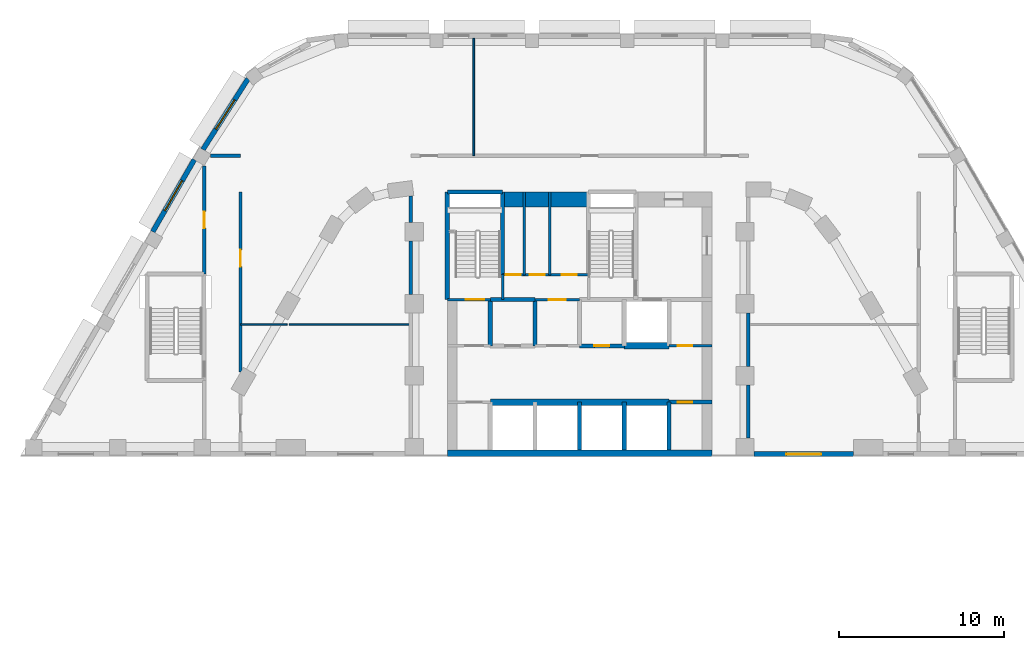
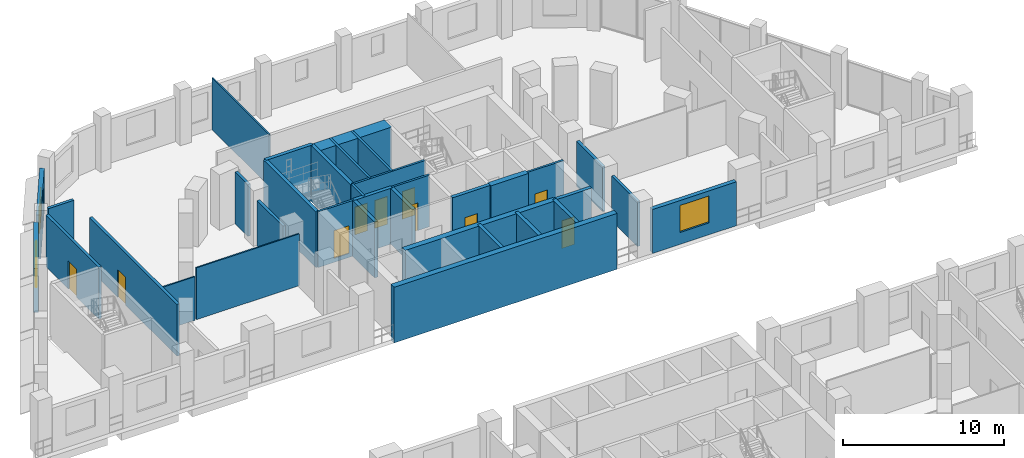
# One storey, part 14 of 22: 35 walls, 10 doors, 3 windows, 13 openings.
"""IFC4 building model written with IfcOpenShell, lengths in metres."""

from ifc_helpers import new_model, si_unit, direction, frame, frame_2d, origin, place, context, subcontext, project, spatial, rectangle, extrude, material, layer, layer_set, type_object, element, fill, save


model = new_model("IFC4")

# Units and contexts
model_context = context("Model", 3, precision=1e-05, world=origin(), true_north=direction((0.0, 1.0)))
body_context = subcontext(model_context, "Body", "Model", "MODEL_VIEW")
ifc_project = project(units=[si_unit("LENGTHUNIT", "METRE"), si_unit("AREAUNIT", "SQUARE_METRE"), si_unit("VOLUMEUNIT", "CUBIC_METRE"), si_unit("PLANEANGLEUNIT", "RADIAN"), si_unit("MASSUNIT", "GRAM", prefix="KILO")], contexts=[model_context])

# Site, building, storey
site_placement = place(None, origin())
site = spatial("IfcSite", under=ifc_project, at=site_placement, CompositionType="ELEMENT")
building_placement = place(site_placement, origin())
building = spatial("IfcBuilding", under=site, at=building_placement, Name="Nakaniwa Court", CompositionType="ELEMENT")
storey_placement = place(building_placement, frame((0.0, 0.0, 24.0)))
storey = spatial("IfcBuildingStorey", under=building, at=storey_placement, Name="L05", CompositionType="ELEMENT", Elevation=24.0)

# Wall
ifc_material_1 = material(Name="Acoustic double stud partition")
ifc_layer_1 = layer(ifc_material_1, 0.199951171875)
ifc_layer_set_1 = layer_set([ifc_layer_1], Name="Acoustic double stud partition")
wall_type_1 = type_object("IfcWallType", Name="Acoustic double stud partition 200", PredefinedType="PARTITIONING", material=ifc_layer_set_1)
wall_1_placement = place(storey_placement, frame((57.676513671875, 105.60009765625, 0.0), z_axis=(0.0, 0.0, 1.0), x_axis=(1.0, 0.0, 0.0)))
element("IfcWall", 1, at=wall_1_placement, inside=storey, type_object=wall_type_1, Name="Partition PW-087", PredefinedType="PARTITIONING", context=body_context, shape_type="SweptSolid", body=[
    extrude(rectangle(XDim=1.823486328125, YDim=0.199951171875, at=frame_2d((0.91162109375, 0.0))), origin(), (0.0, 0.0, 1.0), 3.925048828125),
])

# Wall, opening, door
wall_2_placement = place(storey_placement, frame((57.300048828125, 98.447021484375, 0.0), z_axis=(0.0, 0.0, 1.0), x_axis=(0.0, 1.0, 0.0)))
wall_2 = element("IfcWall", 2, at=wall_2_placement, inside=storey, type_object=wall_type_1, Name="Partition PW-095", PredefinedType="PARTITIONING", context=body_context, shape_type="SweptSolid", body=[
    extrude(rectangle(XDim=6.544189453125, YDim=0.199951171875, at=frame_2d((3.27197265625, 0.0))), origin(), (0.0, 0.0, 1.0), 3.925048828125),
])
opening_1_placement = place(wall_2_placement, frame((2.77197265625, 0.0, 0.0)))
opening_1 = element("IfcOpeningElement", 3, at=opening_1_placement, cuts=wall_2, Name="Opening D-02-01", PredefinedType="OPENING", context=body_context, shape_type="SweptSolid", body=[
    extrude(rectangle(XDim=1.0, YDim=2.10009765625, at=frame_2d((0.5, 1.050048828125))), frame((0.0, 0.10986328125, 0.0), z_axis=(0.0, -1.0, 0.0), x_axis=(1.0, 0.0, 0.0)), (0.0, 0.0, 1.0), 0.219970703125),
])
ifc_material_2 = material(Name="Solid core timber door set, black veneer", Category="wood")
door_type_1 = type_object("IfcDoorType", Name="Internal door 1000", OperationType="NOTDEFINED", PredefinedType="DOOR", material=ifc_material_2)
door_1_placement = place(opening_1_placement, origin())
door_1 = element("IfcDoor", 4, at=door_1_placement, inside=storey, type_object=door_type_1, Name="Door D-02-01 L05-029", OperationType="SINGLE_SWING_RIGHT", OverallHeight=2.10009765625, OverallWidth=1.0, PredefinedType="DOOR", context=body_context, shape_type="SweptSolid", body=[
    extrude(rectangle(XDim=1.0, YDim=2.10009765625, at=frame_2d((0.5, 1.050048828125))), frame((0.0, 0.02490234375, 0.0), z_axis=(0.0, -1.0, 0.0), x_axis=(1.0, 0.0, 0.0)), (0.0, 0.0, 1.0), 0.050048828125),
])
fill(opening_1, door_1)

wall_3_placement = place(storey_placement, frame((59.5, 103.403076171875, 0.0), z_axis=(0.0, 0.0, 1.0), x_axis=(0.0, -1.0, 0.0)))
wall_3 = element("IfcWall", 5, at=wall_3_placement, inside=storey, type_object=wall_type_1, Name="Partition PW-099", PredefinedType="PARTITIONING", context=body_context, shape_type="SweptSolid", body=[
    extrude(rectangle(XDim=10.873291015625, YDim=0.199951171875, at=frame_2d((5.4365234375, 0.0))), origin(), (0.0, 0.0, 1.0), 3.925048828125),
])
opening_2_placement = place(wall_3_placement, frame((3.5029296875, 0.0, 0.0)))
opening_2 = element("IfcOpeningElement", 6, at=opening_2_placement, cuts=wall_3, Name="Opening D-02-05", PredefinedType="OPENING", context=body_context, shape_type="SweptSolid", body=[
    extrude(rectangle(XDim=1.0, YDim=2.10009765625, at=frame_2d((0.5, 1.050048828125))), frame((0.0, 0.10986328125, 0.0), z_axis=(0.0, -1.0, 0.0), x_axis=(1.0, 0.0, 0.0)), (0.0, 0.0, 1.0), 0.219970703125),
])
door_2_placement = place(opening_2_placement, origin())
door_2 = element("IfcDoor", 7, at=door_2_placement, inside=storey, type_object=door_type_1, Name="Door D-02-05 L05-034", OperationType="SINGLE_SWING_LEFT", OverallHeight=2.10009765625, OverallWidth=1.0, PredefinedType="DOOR", context=body_context, shape_type="SweptSolid", body=[
    extrude(rectangle(XDim=1.0, YDim=2.10009765625, at=frame_2d((0.5, 1.050048828125))), frame((0.0, 0.02490234375, 0.0), z_axis=(0.0, -1.0, 0.0), x_axis=(1.0, 0.0, 0.0)), (0.0, 0.0, 1.0), 0.050048828125),
])
fill(opening_2, door_2)

# Walls
wall_4_placement = place(storey_placement, frame((90.199951171875, 88.51708984375, 0.0), z_axis=(0.0, 0.0, 1.0), x_axis=(0.0, 1.0, 0.0)))
element("IfcWall", 8, at=wall_4_placement, inside=storey, type_object=wall_type_1, Name="Partition PW-104", PredefinedType="PARTITIONING", context=body_context, shape_type="SweptSolid", body=[
    extrude(rectangle(XDim=3.2158203125, YDim=0.199951171875, at=frame_2d((1.60791015625, 0.0))), origin(), (0.0, 0.0, 1.0), 3.405029296875),
])
for number, where, z_axis, x_axis, name in (
    (9, (90.199951171875, 92.866943359375, 0.0), (0.0, 0.0, 1.0), (0.0, 1.0, 0.0), "Partition PW-105"),
    (10, (69.800048828125, 97.217041015625, 0.0), (0.0, 0.0, 1.0), (0.0, 1.0, 0.0), "Partition PW-114"),
):
    element("IfcWall", number, at=place(storey_placement, frame(where, z_axis=z_axis, x_axis=x_axis)), inside=storey, type_object=wall_type_1, Name=name, PredefinedType="PARTITIONING", context=body_context, shape_type="SweptSolid", body=[
        extrude(rectangle(XDim=3.216064453125, YDim=0.199951171875, at=frame_2d((1.60791015625, 0.0))), origin(), (0.0, 0.0, 1.0), 3.405029296875),
    ])
wall_5_placement = place(storey_placement, frame((69.800048828125, 101.56689453125, 0.0), z_axis=(0.0, 0.0, 1.0), x_axis=(0.0, 1.0, 0.0)))
element("IfcWall", 11, at=wall_5_placement, inside=storey, type_object=wall_type_1, Name="Partition PW-115", PredefinedType="PARTITIONING", context=body_context, shape_type="SweptSolid", body=[
    extrude(rectangle(XDim=1.59423828125, YDim=0.199951171875, at=frame_2d((0.797119140625, 0.0))), origin(), (0.0, 0.0, 1.0), 3.925048828125),
])

# Wall, opening, window
ifc_material_3 = material(Name="Charcoal ceramic cladding")
ifc_layer_2 = layer(ifc_material_3, 0.02, Name="Ceramic cladding")
ifc_material_4 = material(Name="Ventilated air cavity")
ifc_layer_3 = layer(ifc_material_4, 0.04, ventilated=True, Name="Ventilated cavity")
ifc_material_5 = material(Name="Mineral wool insulation")
ifc_layer_4 = layer(ifc_material_5, 0.1, Name="Insulation")
ifc_material_6 = material(Name="Cement bonded sheathing board")
ifc_layer_5 = layer(ifc_material_6, 0.012, Name="Sheathing")
ifc_material_7 = material(Name="Cold-formed galvanised stud frame with mineral wool infill")
ifc_layer_6 = layer(ifc_material_7, 0.1, Name="Stud frame")
ifc_material_8 = material(Name="Fire-rated gypsum plasterboard lining")
ifc_layer_7 = layer(ifc_material_8, 0.028, Name="Lining")
ifc_layer_set_2 = layer_set([ifc_layer_2, ifc_layer_3, ifc_layer_4, ifc_layer_5, ifc_layer_6, ifc_layer_7], Name="Charcoal ceramic faced external wall system")
wall_type_2 = type_object("IfcWallType", Name="Black ceramic faced external wall 300", PredefinedType="SOLIDWALL", material=ifc_layer_set_2)
wall_6_placement = place(storey_placement, frame((56.7080078125, 105.357177734375, 0.0), z_axis=(0.0, 0.0, 1.0), x_axis=(-0.500011252833, -0.866018906861, 0.0)))
wall_6 = element("IfcWall", 12, at=wall_6_placement, inside=storey, type_object=wall_type_2, Name="L05 external wall 27", PredefinedType="SOLIDWALL", context=body_context, shape_type="SweptSolid", body=[
    extrude(rectangle(XDim=5.02490234375, YDim=0.300048828125, at=frame_2d((2.512451171875, 0.0))), origin(), (0.0, 0.0, 1.0), 3.324951171875),
])
opening_3_placement = place(wall_6_placement, frame((1.46240234375, 0.0, 0.89990234375)))
opening_3 = element("IfcOpeningElement", 13, at=opening_3_placement, cuts=wall_6, Name="Opening W2.18", PredefinedType="OPENING", context=body_context, shape_type="SweptSolid", body=[
    extrude(rectangle(XDim=2.10009765625, YDim=2.050048828125, at=frame_2d((1.050048828125, 1.02490234375))), frame((0.0, 0.159912109375, 0.0), z_axis=(0.0, -1.0, 0.0), x_axis=(1.0, 0.0, 0.0)), (0.0, 0.0, 1.0), 0.320068359375),
])
ifc_material_9 = material(Name="Black anodised aluminium frame with dark low-E laminated double glazing", Category="aluminium")
window_type = type_object("IfcWindowType", Name="Dark glass window 2100x2050 sill 900", PartitioningType="SINGLE_PANEL", PredefinedType="WINDOW", material=ifc_material_9)
window_1_placement = place(opening_3_placement, origin())
window_1 = element("IfcWindow", 14, at=window_1_placement, inside=storey, type_object=window_type, Name="L05 habitable room window 27-0", OverallHeight=2.050048828125, OverallWidth=2.10009765625, PartitioningType="SINGLE_PANEL", PredefinedType="WINDOW", context=body_context, shape_type="SweptSolid", body=[
    extrude(rectangle(XDim=2.10009765625, YDim=2.050048828125, at=frame_2d((1.050048828125, 1.02490234375))), frame((0.0, 0.030029296875, 0.0), z_axis=(0.0, -1.0, 0.0), x_axis=(1.0, 0.0, 0.0)), (0.0, 0.0, 1.0), 0.06005859375),
])
fill(opening_3, window_1)

wall_7_placement = place(storey_placement, frame((90.5458984375, 87.550048828125, 0.0), z_axis=(0.0, 0.0, 1.0), x_axis=(1.0, 0.0, 0.0)))
wall_7 = element("IfcWall", 15, at=wall_7_placement, inside=storey, type_object=wall_type_2, Name="L05 external wall 35", PredefinedType="SOLIDWALL", context=body_context, shape_type="SweptSolid", body=[
    extrude(rectangle(XDim=6.01611328125, YDim=0.300048828125, at=frame_2d((3.008056640625, 0.0))), origin(), (0.0, 0.0, 1.0), 3.324951171875),
])
opening_4_placement = place(wall_7_placement, frame((1.9580078125, 0.0, 0.89990234375)))
opening_4 = element("IfcOpeningElement", 16, at=opening_4_placement, cuts=wall_7, Name="Opening W2.26", PredefinedType="OPENING", context=body_context, shape_type="SweptSolid", body=[
    extrude(rectangle(XDim=2.10009765625, YDim=2.050048828125, at=frame_2d((1.050048828125, 1.02490234375))), frame((0.0, 0.159912109375, 0.0), z_axis=(0.0, -1.0, 0.0), x_axis=(1.0, 0.0, 0.0)), (0.0, 0.0, 1.0), 0.320068359375),
])
window_2_placement = place(opening_4_placement, origin())
window_2 = element("IfcWindow", 17, at=window_2_placement, inside=storey, type_object=window_type, Name="L05 habitable room window 35-0", OverallHeight=2.050048828125, OverallWidth=2.10009765625, PartitioningType="SINGLE_PANEL", PredefinedType="WINDOW", context=body_context, shape_type="SweptSolid", body=[
    extrude(rectangle(XDim=2.10009765625, YDim=2.050048828125, at=frame_2d((1.050048828125, 1.02490234375))), frame((0.0, 0.030029296875, 0.0), z_axis=(0.0, -1.0, 0.0), x_axis=(1.0, 0.0, 0.0)), (0.0, 0.0, 1.0), 0.06005859375),
])
fill(opening_4, window_2)

wall_8_placement = place(storey_placement, frame((59.95361328125, 110.24755859375, 0.0), z_axis=(0.0, 0.0, 1.0), x_axis=(-0.537224370512, -0.843439372882, 0.0)))
wall_8 = element("IfcWall", 18, at=wall_8_placement, inside=storey, type_object=wall_type_2, Name="L05 external wall 53", PredefinedType="SOLIDWALL", context=body_context, shape_type="SweptSolid", body=[
    extrude(rectangle(XDim=5.07080078125, YDim=0.300048828125, at=frame_2d((2.535400390625, 0.0))), origin(), (0.0, 0.0, 1.0), 3.324951171875),
])
opening_5_placement = place(wall_8_placement, frame((1.51318359375, 0.0, 0.89990234375)))
opening_5 = element("IfcOpeningElement", 19, at=opening_5_placement, cuts=wall_8, Name="Opening W2.39", PredefinedType="OPENING", context=body_context, shape_type="SweptSolid", body=[
    extrude(rectangle(XDim=2.10009765625, YDim=2.050048828125, at=frame_2d((1.050048828125, 1.02490234375))), frame((0.0, 0.159912109375, 0.0), z_axis=(0.0, -1.0, 0.0), x_axis=(1.0, 0.0, 0.0)), (0.0, 0.0, 1.0), 0.320068359375),
])
window_3_placement = place(opening_5_placement, origin())
window_3 = element("IfcWindow", 20, at=window_3_placement, inside=storey, type_object=window_type, Name="L05 habitable room window 53-0", OverallHeight=2.050048828125, OverallWidth=2.10009765625, PartitioningType="SINGLE_PANEL", PredefinedType="WINDOW", context=body_context, shape_type="SweptSolid", body=[
    extrude(rectangle(XDim=2.10009765625, YDim=2.050048828125, at=frame_2d((1.050048828125, 1.02490234375))), frame((0.0, 0.030029296875, 0.0), z_axis=(0.0, -1.0, 0.0), x_axis=(1.0, 0.0, 0.0)), (0.0, 0.0, 1.0), 0.06005859375),
])
fill(opening_5, window_3)

# Wall, opening, door
ifc_material_10 = material(Name="Blockwork partition", Category="masonry")
ifc_layer_8 = layer(ifc_material_10, 0.14990234375)
ifc_layer_set_3 = layer_set([ifc_layer_8], Name="Blockwork partition")
wall_type_3 = type_object("IfcWallType", Name="Blockwork partition 150", PredefinedType="PARTITIONING", material=ifc_layer_set_3)
wall_9_placement = place(storey_placement, frame((85.39697265625, 94.10009765625, 0.0), z_axis=(0.0, 0.0, 1.0), x_axis=(1.0, 0.0, 0.0)))
wall_9 = element("IfcWall", 21, at=wall_9_placement, inside=storey, type_object=wall_type_3, Name="Partition PW-018", PredefinedType="PARTITIONING", context=body_context, shape_type="SweptSolid", body=[
    extrude(rectangle(XDim=2.60302734375, YDim=0.14990234375, at=frame_2d((1.301513671875, 0.0))), origin(), (0.0, 0.0, 1.0), 3.925048828125),
])
opening_6_placement = place(wall_9_placement, frame((0.528076171875, 0.0, 0.0)))
opening_6 = element("IfcOpeningElement", 22, at=opening_6_placement, cuts=wall_9, Name="Opening D-05-05", PredefinedType="OPENING", context=body_context, shape_type="SweptSolid", body=[
    extrude(rectangle(XDim=0.89990234375, YDim=2.10009765625, at=frame_2d((0.449951171875, 1.050048828125))), frame((0.0, 0.0849609375, 0.0), z_axis=(0.0, -1.0, 0.0), x_axis=(1.0, 0.0, 0.0)), (0.0, 0.0, 1.0), 0.169921875),
])
ifc_material_11 = material(Name="Fire rated steel door set", Category="steel")
door_type_2 = type_object("IfcDoorType", Name="Service room door 900", OperationType="NOTDEFINED", PredefinedType="DOOR", material=ifc_material_11)
door_3_placement = place(opening_6_placement, origin())
door_3 = element("IfcDoor", 23, at=door_3_placement, inside=storey, type_object=door_type_2, Name="Door D-05-05 L05-007", OperationType="SINGLE_SWING_RIGHT", OverallHeight=2.10009765625, OverallWidth=0.89990234375, PredefinedType="DOOR", context=body_context, shape_type="SweptSolid", body=[
    extrude(rectangle(XDim=0.89990234375, YDim=2.10009765625, at=frame_2d((0.449951171875, 1.050048828125))), frame((0.0, 0.02490234375, 0.0), z_axis=(0.0, -1.0, 0.0), x_axis=(1.0, 0.0, 0.0)), (0.0, 0.0, 1.0), 0.050048828125),
])
fill(opening_6, door_3)

wall_10_placement = place(storey_placement, frame((77.300048828125, 96.89990234375, 0.0), z_axis=(0.0, 0.0, 1.0), x_axis=(1.0, 0.0, 0.0)))
wall_10 = element("IfcWall", 24, at=wall_10_placement, inside=storey, type_object=wall_type_3, Name="Partition PW-025", PredefinedType="PARTITIONING", context=body_context, shape_type="SweptSolid", body=[
    extrude(rectangle(XDim=2.699951171875, YDim=0.14990234375, at=frame_2d((1.35009765625, 0.0))), origin(), (0.0, 0.0, 1.0), 3.925048828125),
])
opening_7_placement = place(wall_10_placement, frame((0.85009765625, 0.0, 0.0)))
opening_7 = element("IfcOpeningElement", 25, at=opening_7_placement, cuts=wall_10, Name="Opening D-23-01", PredefinedType="OPENING", context=body_context, shape_type="SweptSolid", body=[
    extrude(rectangle(XDim=1.0, YDim=2.10009765625, at=frame_2d((0.5, 1.050048828125))), frame((0.0, 0.0849609375, 0.0), z_axis=(0.0, -1.0, 0.0), x_axis=(1.0, 0.0, 0.0)), (0.0, 0.0, 1.0), 0.169921875),
])
door_type_3 = type_object("IfcDoorType", Name="Service room door 1000", OperationType="NOTDEFINED", PredefinedType="DOOR", material=ifc_material_11)
door_4_placement = place(opening_7_placement, origin())
door_4 = element("IfcDoor", 26, at=door_4_placement, inside=storey, type_object=door_type_3, Name="Door D-23-01 L05-008", OperationType="SINGLE_SWING_LEFT", OverallHeight=2.10009765625, OverallWidth=1.0, PredefinedType="DOOR", context=body_context, shape_type="SweptSolid", body=[
    extrude(rectangle(XDim=1.0, YDim=2.10009765625, at=frame_2d((0.5, 1.050048828125))), frame((0.0, 0.02490234375, 0.0), z_axis=(0.0, -1.0, 0.0), x_axis=(1.0, 0.0, 0.0)), (0.0, 0.0, 1.0), 0.050048828125),
])
fill(opening_7, door_4)

# Wall, openings, doors
wall_11_placement = place(storey_placement, frame((75.35009765625, 98.39990234375, 0.0), z_axis=(0.0, 0.0, 1.0), x_axis=(1.0, 0.0, 0.0)))
wall_11 = element("IfcWall", 27, at=wall_11_placement, inside=storey, type_object=wall_type_3, Name="Partition PW-036", PredefinedType="PARTITIONING", context=body_context, shape_type="SweptSolid", body=[
    extrude(rectangle(XDim=5.199951171875, YDim=0.14990234375, at=frame_2d((2.60009765625, 0.0))), origin(), (0.0, 0.0, 1.0), 3.925048828125),
])
opening_8_placement = place(wall_11_placement, frame((0.199951171875, 0.0, 0.0)))
opening_8 = element("IfcOpeningElement", 28, at=opening_8_placement, cuts=wall_11, Name="Opening D-05-06", PredefinedType="OPENING", context=body_context, shape_type="SweptSolid", body=[
    extrude(rectangle(XDim=0.89990234375, YDim=2.10009765625, at=frame_2d((0.449951171875, 1.050048828125))), frame((0.0, 0.0849609375, 0.0), z_axis=(0.0, -1.0, 0.0), x_axis=(1.0, 0.0, 0.0)), (0.0, 0.0, 1.0), 0.169921875),
])
opening_9_placement = place(wall_11_placement, frame((1.6298828125, 0.0, 0.0)))
opening_9 = element("IfcOpeningElement", 29, at=opening_9_placement, cuts=wall_11, Name="Opening D-05-07", PredefinedType="OPENING", context=body_context, shape_type="SweptSolid", body=[
    extrude(rectangle(XDim=0.89990234375, YDim=2.10009765625, at=frame_2d((0.449951171875, 1.050048828125))), frame((0.0, 0.0849609375, 0.0), z_axis=(0.0, -1.0, 0.0), x_axis=(1.0, 0.0, 0.0)), (0.0, 0.0, 1.0), 0.169921875),
])
opening_10_placement = place(wall_11_placement, frame((3.580078125, 0.0, 0.0)))
opening_10 = element("IfcOpeningElement", 30, at=opening_10_placement, cuts=wall_11, Name="Opening D-05-08", PredefinedType="OPENING", context=body_context, shape_type="SweptSolid", body=[
    extrude(rectangle(XDim=0.89990234375, YDim=2.10009765625, at=frame_2d((0.449951171875, 1.050048828125))), frame((0.0, 0.0849609375, 0.0), z_axis=(0.0, -1.0, 0.0), x_axis=(1.0, 0.0, 0.0)), (0.0, 0.0, 1.0), 0.169921875),
])
door_5_placement = place(opening_8_placement, origin())
door_5 = element("IfcDoor", 31, at=door_5_placement, inside=storey, type_object=door_type_2, Name="Door D-05-06 L05-009", OperationType="SINGLE_SWING_RIGHT", OverallHeight=2.10009765625, OverallWidth=0.89990234375, PredefinedType="DOOR", context=body_context, shape_type="SweptSolid", body=[
    extrude(rectangle(XDim=0.89990234375, YDim=2.10009765625, at=frame_2d((0.449951171875, 1.050048828125))), frame((0.0, 0.02490234375, 0.0), z_axis=(0.0, -1.0, 0.0), x_axis=(1.0, 0.0, 0.0)), (0.0, 0.0, 1.0), 0.050048828125),
])
fill(opening_8, door_5)
door_6_placement = place(opening_9_placement, origin())
door_6 = element("IfcDoor", 32, at=door_6_placement, inside=storey, type_object=door_type_2, Name="Door D-05-07 L05-010", OperationType="SINGLE_SWING_LEFT", OverallHeight=2.10009765625, OverallWidth=0.89990234375, PredefinedType="DOOR", context=body_context, shape_type="SweptSolid", body=[
    extrude(rectangle(XDim=0.89990234375, YDim=2.10009765625, at=frame_2d((0.449951171875, 1.050048828125))), frame((0.0, 0.02490234375, 0.0), z_axis=(0.0, -1.0, 0.0), x_axis=(1.0, 0.0, 0.0)), (0.0, 0.0, 1.0), 0.050048828125),
])
fill(opening_9, door_6)
door_7_placement = place(opening_10_placement, origin())
door_7 = element("IfcDoor", 33, at=door_7_placement, inside=storey, type_object=door_type_2, Name="Door D-05-08 L05-011", OperationType="SINGLE_SWING_RIGHT", OverallHeight=2.10009765625, OverallWidth=0.89990234375, PredefinedType="DOOR", context=body_context, shape_type="SweptSolid", body=[
    extrude(rectangle(XDim=0.89990234375, YDim=2.10009765625, at=frame_2d((0.449951171875, 1.050048828125))), frame((0.0, 0.02490234375, 0.0), z_axis=(0.0, -1.0, 0.0), x_axis=(1.0, 0.0, 0.0)), (0.0, 0.0, 1.0), 0.050048828125),
])
fill(opening_10, door_7)

# Walls
for number, where, z_axis, x_axis, name in (
    (34, (76.64990234375, 98.39990234375, 0.0), (0.0, 0.0, 1.0), (0.0, 1.0, 0.0), "Partition PW-037"),
    (35, (78.2099609375, 98.39990234375, 0.0), (0.0, 0.0, 1.0), (0.0, 1.0, 0.0), "Partition PW-038"),
):
    element("IfcWall", number, at=place(storey_placement, frame(where, z_axis=z_axis, x_axis=x_axis)), inside=storey, type_object=wall_type_3, Name=name, PredefinedType="PARTITIONING", context=body_context, shape_type="SweptSolid", body=[
        extrude(rectangle(XDim=5.0, YDim=0.14990234375, at=frame_2d((2.5, 0.0))), origin(), (0.0, 0.0, 1.0), 3.925048828125),
    ])
ifc_material_12 = material(Name="Concrete C100/115", Category="concrete")
ifc_layer_9 = layer(ifc_material_12, 0.39990234375)
ifc_layer_set_4 = layer_set([ifc_layer_9], Name="Concrete C100/115")
wall_type_4 = type_object("IfcWallType", Name="Concrete core spine wall 400 C100", PredefinedType="SHEAR", material=ifc_layer_set_4)
wall_12_placement = place(storey_placement, frame((74.60009765625, 90.699951171875, -0.300048828125), z_axis=(0.0, 0.0, 1.0), x_axis=(1.0, 0.0, 0.0)))
element("IfcWall", 36, at=wall_12_placement, inside=storey, type_object=wall_type_4, Name="Core wall SW-07", PredefinedType="SHEAR", context=body_context, shape_type="SweptSolid", body=[
    extrude(rectangle(XDim=10.7998046875, YDim=0.39990234375, at=frame_2d((5.39990234375, 0.0))), origin(), (0.0, 0.0, 1.0), 4.22509765625),
])
wall_13_placement = place(storey_placement, frame((82.697021484375, 94.10009765625, -0.300048828125), z_axis=(0.0, 0.0, 1.0), x_axis=(1.0, 0.0, 0.0)))
element("IfcWall", 37, at=wall_13_placement, inside=storey, type_object=wall_type_4, Name="Core wall SW-21", PredefinedType="SHEAR", context=body_context, shape_type="SweptSolid", body=[
    extrude(rectangle(XDim=2.7060546875, YDim=0.39990234375, at=frame_2d((1.35302734375, 0.0))), origin(), (0.0, 0.0, 1.0), 4.22509765625),
])

# Wall, opening, door
ifc_layer_10 = layer(ifc_material_12, 0.14990234375)
ifc_layer_set_5 = layer_set([ifc_layer_10], Name="Concrete C100/115")
wall_type_5 = type_object("IfcWallType", Name="Concrete core wall 150 C100", PredefinedType="SHEAR", material=ifc_layer_set_5)
wall_14_placement = place(storey_placement, frame((74.60009765625, 96.89990234375, -0.300048828125), z_axis=(0.0, 0.0, 1.0), x_axis=(-1.0, 0.0, 0.0)))
wall_14 = element("IfcWall", 38, at=wall_14_placement, inside=storey, type_object=wall_type_5, Name="Core wall SW-22", PredefinedType="SHEAR", context=body_context, shape_type="SweptSolid", body=[
    extrude(rectangle(XDim=2.60009765625, YDim=0.14990234375, at=frame_2d((1.300048828125, 0.0))), origin(), (0.0, 0.0, 1.0), 4.22509765625),
])
opening_11_placement = place(wall_14_placement, frame((0.3701171875, 0.0, 0.300048828125)))
opening_11 = element("IfcOpeningElement", 39, at=opening_11_placement, cuts=wall_14, Name="Opening D-09-01", PredefinedType="OPENING", context=body_context, shape_type="SweptSolid", body=[
    extrude(rectangle(XDim=1.10009765625, YDim=2.10009765625, at=frame_2d((0.550048828125, 1.050048828125))), frame((0.0, 0.0849609375, 0.0), z_axis=(0.0, -1.0, 0.0), x_axis=(1.0, 0.0, 0.0)), (0.0, 0.0, 1.0), 0.169921875),
])
door_type_4 = type_object("IfcDoorType", Name="Stair door 1100", OperationType="NOTDEFINED", PredefinedType="DOOR", material=ifc_material_11)
door_8_placement = place(opening_11_placement, origin())
door_8 = element("IfcDoor", 40, at=door_8_placement, inside=storey, type_object=door_type_4, Name="Door D-09-01 L05-012", OperationType="SINGLE_SWING_RIGHT", OverallHeight=2.10009765625, OverallWidth=1.10009765625, PredefinedType="DOOR", context=body_context, shape_type="SweptSolid", body=[
    extrude(rectangle(XDim=1.10009765625, YDim=2.10009765625, at=frame_2d((0.550048828125, 1.050048828125))), frame((0.0, 0.02490234375, 0.0), z_axis=(0.0, -1.0, 0.0), x_axis=(1.0, 0.0, 0.0)), (0.0, 0.0, 1.0), 0.050048828125),
])
fill(opening_11, door_8)

# Walls
wall_15_placement = place(storey_placement, frame((75.35009765625, 96.89990234375, -0.300048828125), z_axis=(0.0, 0.0, 1.0), x_axis=(0.0, 1.0, 0.0)))
element("IfcWall", 41, at=wall_15_placement, inside=storey, type_object=wall_type_5, Name="Core wall SW-26", PredefinedType="SHEAR", context=body_context, shape_type="SweptSolid", body=[
    extrude(rectangle(XDim=1.503173828125, YDim=0.14990234375, at=frame_2d((0.75146484375, 0.0))), origin(), (0.0, 0.0, 1.0), 4.22509765625),
])
ifc_layer_11 = layer(ifc_material_12, 0.25)
ifc_layer_set_6 = layer_set([ifc_layer_11], Name="Concrete C100/115")
wall_type_6 = type_object("IfcWallType", Name="Concrete core wall 250 C100", PredefinedType="SHEAR", material=ifc_layer_set_6)
wall_16_placement = place(storey_placement, frame((72.0, 96.89990234375, -0.300048828125), z_axis=(0.0, 0.0, 1.0), x_axis=(0.0, 1.0, 0.0)))
element("IfcWall", 42, at=wall_16_placement, inside=storey, type_object=wall_type_6, Name="Core wall SW-28", PredefinedType="SHEAR", context=body_context, shape_type="SweptSolid", body=[
    extrude(rectangle(XDim=6.5, YDim=0.25, at=frame_2d((3.25, 0.0))), origin(), (0.0, 0.0, 1.0), 4.22509765625),
])
wall_17_placement = place(storey_placement, frame((72.0, 103.39990234375, -0.300048828125), z_axis=(0.0, 0.0, 1.0), x_axis=(1.0, 0.0, 0.0)))
element("IfcWall", 43, at=wall_17_placement, inside=storey, type_object=wall_type_6, Name="Core wall SW-29", PredefinedType="SHEAR", context=body_context, shape_type="SweptSolid", body=[
    extrude(rectangle(XDim=3.35009765625, YDim=0.25, at=frame_2d((1.675048828125, 0.0))), origin(), (0.0, 0.0, 1.0), 4.22509765625),
])
ifc_layer_12 = layer(ifc_material_12, 0.89990234375)
ifc_layer_set_7 = layer_set([ifc_layer_12], Name="Concrete C100/115")
wall_type_7 = type_object("IfcWallType", Name="Concrete core wall 900 C100", PredefinedType="SHEAR", material=ifc_layer_set_7)
wall_18_placement = place(storey_placement, frame((75.35009765625, 102.949951171875, -0.300048828125), z_axis=(0.0, 0.0, 1.0), x_axis=(1.0, 0.0, 0.0)))
element("IfcWall", 44, at=wall_18_placement, inside=storey, type_object=wall_type_7, Name="Core wall SW-34", PredefinedType="SHEAR", context=body_context, shape_type="SweptSolid", body=[
    extrude(rectangle(XDim=5.199951171875, YDim=0.89990234375, at=frame_2d((2.60009765625, 0.0))), origin(), (0.0, 0.0, 1.0), 4.22509765625),
])
ifc_layer_13 = layer(ifc_material_12, 0.39990234375)
ifc_layer_set_8 = layer_set([ifc_layer_13], Name="Concrete C100/115")
wall_type_8 = type_object("IfcWallType", Name="Concrete core well wall 400 C100", PredefinedType="SHEAR", material=ifc_layer_set_8)
wall_19_placement = place(storey_placement, frame((72.00390625, 87.60009765625, -0.300048828125), z_axis=(0.0, 0.0, 1.0), x_axis=(1.0, 0.0, 0.0)))
element("IfcWall", 45, at=wall_19_placement, inside=storey, type_object=wall_type_8, Name="Core wall SW-150", PredefinedType="SHEAR", context=body_context, shape_type="SweptSolid", body=[
    extrude(rectangle(XDim=15.9921875, YDim=0.39990234375, at=frame_2d((7.99609375, 0.0))), origin(), (0.0, 0.0, 1.0), 4.22509765625),
])
ifc_layer_14 = layer(ifc_material_12, 0.25)
ifc_layer_set_9 = layer_set([ifc_layer_14], Name="Concrete C100/115")
wall_type_9 = type_object("IfcWallType", Name="Concrete shaft wall 250 C100", PredefinedType="SHEAR", material=ifc_layer_set_9)
for number, where, z_axis, x_axis, name in (
    (46, (74.60009765625, 94.10009765625, -0.300048828125), (0.0, 0.0, 1.0), (0.0, 1.0, 0.0), "Core wall SW-02"),
    (47, (77.300048828125, 94.10009765625, -0.300048828125), (0.0, 0.0, 1.0), (0.0, 1.0, 0.0), "Core wall SW-06"),
):
    element("IfcWall", number, at=place(storey_placement, frame(where, z_axis=z_axis, x_axis=x_axis)), inside=storey, type_object=wall_type_9, Name=name, PredefinedType="SHEAR", context=body_context, shape_type="SweptSolid", body=[
        extrude(rectangle(XDim=2.7998046875, YDim=0.25, at=frame_2d((1.39990234375, 0.0))), origin(), (0.0, 0.0, 1.0), 4.22509765625),
    ])
for number, where, z_axis, x_axis, name in (
    (48, (80.0, 87.800048828125, -0.300048828125), (0.0, 0.0, 1.0), (0.0, 1.0, 0.0), "Core wall SW-08"),
    (49, (82.699951171875, 87.800048828125, -0.300048828125), (0.0, 0.0, 1.0), (0.0, 1.0, 0.0), "Core wall SW-10"),
    (50, (85.39990234375, 87.800048828125, -0.300048828125), (0.0, 0.0, 1.0), (0.0, 1.0, 0.0), "Core wall SW-12"),
):
    element("IfcWall", number, at=place(storey_placement, frame(where, z_axis=z_axis, x_axis=x_axis)), inside=storey, type_object=wall_type_9, Name=name, PredefinedType="SHEAR", context=body_context, shape_type="SweptSolid", body=[
        extrude(rectangle(XDim=2.89990234375, YDim=0.25, at=frame_2d((1.449951171875, 0.0))), origin(), (0.0, 0.0, 1.0), 4.22509765625),
    ])

# Wall, opening, door
wall_20_placement = place(storey_placement, frame((88.0, 90.699951171875, -0.300048828125), z_axis=(0.0, 0.0, 1.0), x_axis=(-1.0, 0.0, 0.0)))
wall_20 = element("IfcWall", 51, at=wall_20_placement, inside=storey, type_object=wall_type_9, Name="Core wall SW-14", PredefinedType="SHEAR", context=body_context, shape_type="SweptSolid", body=[
    extrude(rectangle(XDim=2.60009765625, YDim=0.25, at=frame_2d((1.300048828125, 0.0))), origin(), (0.0, 0.0, 1.0), 4.22509765625),
])
opening_12_placement = place(wall_20_placement, frame((1.175048828125, 0.0, 0.300048828125)))
opening_12 = element("IfcOpeningElement", 52, at=opening_12_placement, cuts=wall_20, Name="Opening D-05-02", PredefinedType="OPENING", context=body_context, shape_type="SweptSolid", body=[
    extrude(rectangle(XDim=0.89990234375, YDim=2.10009765625, at=frame_2d((0.449951171875, 1.050048828125))), frame((0.0, 0.135009765625, 0.0), z_axis=(0.0, -1.0, 0.0), x_axis=(1.0, 0.0, 0.0)), (0.0, 0.0, 1.0), 0.27001953125),
])
door_9_placement = place(opening_12_placement, origin())
door_9 = element("IfcDoor", 53, at=door_9_placement, inside=storey, type_object=door_type_2, Name="Door D-05-02 L05-002", OperationType="SINGLE_SWING_LEFT", OverallHeight=2.10009765625, OverallWidth=0.89990234375, PredefinedType="DOOR", context=body_context, shape_type="SweptSolid", body=[
    extrude(rectangle(XDim=0.89990234375, YDim=2.10009765625, at=frame_2d((0.449951171875, 1.050048828125))), frame((0.0, 0.02490234375, 0.0), z_axis=(0.0, -1.0, 0.0), x_axis=(1.0, 0.0, 0.0)), (0.0, 0.0, 1.0), 0.050048828125),
])
fill(opening_12, door_9)

wall_21_placement = place(storey_placement, frame((79.9970703125, 94.10009765625, -0.300048828125), z_axis=(0.0, 0.0, 1.0), x_axis=(1.0, 0.0, 0.0)))
wall_21 = element("IfcWall", 54, at=wall_21_placement, inside=storey, type_object=wall_type_9, Name="Core wall SW-20", PredefinedType="SHEAR", context=body_context, shape_type="SweptSolid", body=[
    extrude(rectangle(XDim=2.705810546875, YDim=0.25, at=frame_2d((1.35302734375, 0.0))), origin(), (0.0, 0.0, 1.0), 4.22509765625),
])
opening_13_placement = place(wall_21_placement, frame((0.903076171875, 0.0, 0.300048828125)))
opening_13 = element("IfcOpeningElement", 55, at=opening_13_placement, cuts=wall_21, Name="Opening D-05-04", PredefinedType="OPENING", context=body_context, shape_type="SweptSolid", body=[
    extrude(rectangle(XDim=0.89990234375, YDim=2.10009765625, at=frame_2d((0.449951171875, 1.050048828125))), frame((0.0, 0.135009765625, 0.0), z_axis=(0.0, -1.0, 0.0), x_axis=(1.0, 0.0, 0.0)), (0.0, 0.0, 1.0), 0.27001953125),
])
door_10_placement = place(opening_13_placement, origin())
door_10 = element("IfcDoor", 56, at=door_10_placement, inside=storey, type_object=door_type_2, Name="Door D-05-04 L05-006", OperationType="SINGLE_SWING_LEFT", OverallHeight=2.10009765625, OverallWidth=0.89990234375, PredefinedType="DOOR", context=body_context, shape_type="SweptSolid", body=[
    extrude(rectangle(XDim=0.89990234375, YDim=2.10009765625, at=frame_2d((0.449951171875, 1.050048828125))), frame((0.0, 0.02490234375, 0.0), z_axis=(0.0, -1.0, 0.0), x_axis=(1.0, 0.0, 0.0)), (0.0, 0.0, 1.0), 0.050048828125),
])
fill(opening_13, door_10)

# Walls
wall_22_placement = place(storey_placement, frame((74.60009765625, 96.89990234375, -0.300048828125), z_axis=(0.0, 0.0, 1.0), x_axis=(1.0, 0.0, 0.0)))
element("IfcWall", 57, at=wall_22_placement, inside=storey, type_object=wall_type_9, Name="Core wall SW-23", PredefinedType="SHEAR", context=body_context, shape_type="SweptSolid", body=[
    extrude(rectangle(XDim=2.699951171875, YDim=0.25, at=frame_2d((1.35009765625, 0.0))), origin(), (0.0, 0.0, 1.0), 4.22509765625),
])
wall_23_placement = place(storey_placement, frame((75.35009765625, 98.39697265625, -0.300048828125), z_axis=(0.0, 0.0, 1.0), x_axis=(0.0, 1.0, 0.0)))
element("IfcWall", 58, at=wall_23_placement, inside=storey, type_object=wall_type_9, Name="Core wall SW-27", PredefinedType="SHEAR", context=body_context, shape_type="SweptSolid", body=[
    extrude(rectangle(XDim=5.0029296875, YDim=0.25, at=frame_2d((2.50146484375, 0.0))), origin(), (0.0, 0.0, 1.0), 4.22509765625),
])
ifc_material_13 = material(Name="Single stud plasterboard partition")
ifc_layer_15 = layer(ifc_material_13, 0.10009765625)
ifc_layer_set_10 = layer_set([ifc_layer_15], Name="Single stud plasterboard partition")
wall_type_10 = type_object("IfcWallType", Name="Single stud plasterboard partition 100", PredefinedType="PARTITIONING", material=ifc_layer_set_10)
wall_24_placement = place(storey_placement, frame((59.5, 95.39990234375, 0.0), z_axis=(0.0, 0.0, 1.0), x_axis=(1.0, 0.0, 0.0)))
element("IfcWall", 59, at=wall_24_placement, inside=storey, type_object=wall_type_10, Name="Partition PW-124", PredefinedType="PARTITIONING", context=body_context, shape_type="SweptSolid", body=[
    extrude(rectangle(XDim=2.819580078125, YDim=0.10009765625, at=frame_2d((1.40966796875, 0.0))), origin(), (0.0, 0.0, 1.0), 3.304931640625),
])
wall_25_placement = place(storey_placement, frame((62.43359375, 95.39990234375, 0.0), z_axis=(0.0, 0.0, 1.0), x_axis=(1.0, 0.0, 0.0)))
element("IfcWall", 60, at=wall_25_placement, inside=storey, type_object=wall_type_10, Name="Partition PW-125", PredefinedType="PARTITIONING", context=body_context, shape_type="SweptSolid", body=[
    extrude(rectangle(XDim=7.366455078125, YDim=0.10009765625, at=frame_2d((3.68310546875, 0.0))), origin(), (0.0, 0.0, 1.0), 3.925048828125),
])
wall_26_placement = place(storey_placement, frame((73.60009765625, 105.60009765625, 0.0), z_axis=(0.0, 0.0, 1.0), x_axis=(0.0, 1.0, 0.0)))
element("IfcWall", 61, at=wall_26_placement, inside=storey, type_object=wall_type_10, Name="Partition PW-128", PredefinedType="PARTITIONING", context=body_context, shape_type="SweptSolid", body=[
    extrude(rectangle(XDim=7.099853515625, YDim=0.10009765625, at=frame_2d((3.5498046875, 0.0))), origin(), (0.0, 0.0, 1.0), 3.925048828125),
])

save(model, "model.ifc")
